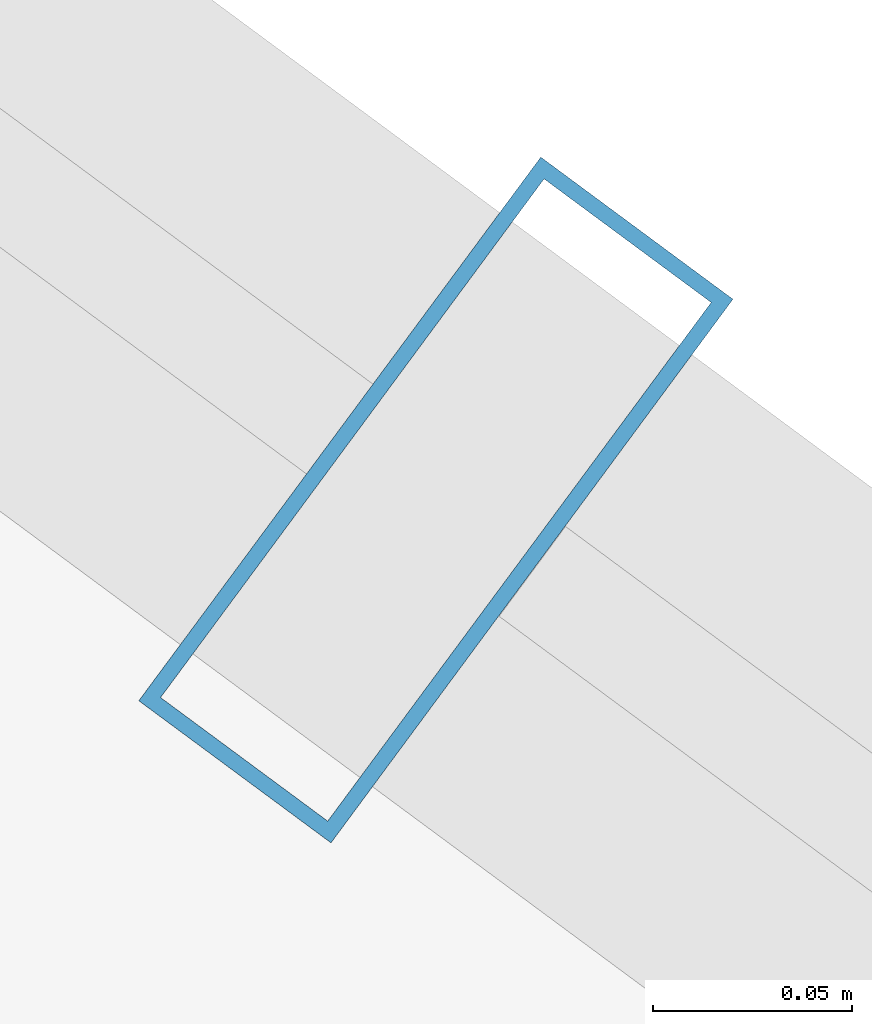
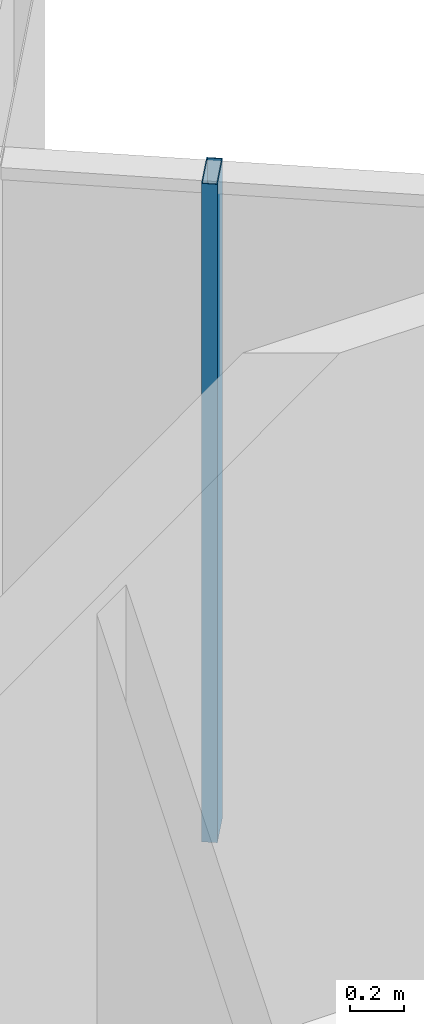
# One storey, part 23 of 29: 1 member, 1 element without a shape of its own.
"""IFC4 building model written with IfcOpenShell, lengths in metres."""

from ifc_helpers import new_model, si_unit, direction, frame, origin, origin_2d, place, context, subcontext, project, spatial, hollow_rectangle, extrude, source, transform, mapped, material, layer, layer_set, material_profile, profile_set, type_object, element, aggregate, save


model = new_model("IFC4")

# Units and contexts
model_context = context("Model", 3, precision=1e-05, world=origin(), true_north=direction((0.0, 1.0)))
body_context = subcontext(model_context, "Body", "Model", "MODEL_VIEW")
ifc_project = project(units=[si_unit("LENGTHUNIT", "METRE"), si_unit("AREAUNIT", "SQUARE_METRE"), si_unit("VOLUMEUNIT", "CUBIC_METRE"), si_unit("PLANEANGLEUNIT", "RADIAN"), si_unit("MASSUNIT", "GRAM", prefix="KILO")], contexts=[model_context])

# Site, building, storey
site_placement = place(None, origin())
site = spatial("IfcSite", under=ifc_project, at=site_placement, CompositionType="ELEMENT")
building_placement = place(site_placement, origin())
building = spatial("IfcBuilding", under=site, at=building_placement, Name="Veraguas Prism Commons", CompositionType="ELEMENT")
storey_placement = place(building_placement, frame((0.0, 0.0, 105.699951171875)))
storey = spatial("IfcBuildingStorey", under=building, at=storey_placement, Name="L29", CompositionType="ELEMENT", Elevation=105.699951171875)

# Curtain wall, member
ifc_material = material(Name="Anodised aluminium EN AW-6063 T6", Category="aluminium")
ifc_layer = layer(ifc_material, 0.169921875, Name="Unitised Flush Curtain Wall Zone 2", Category="aluminium")
ifc_layer_set = layer_set([ifc_layer], Name="Anodised aluminium EN AW-6063 T6")
curtain_wall_type = type_object("IfcCurtainWallType", Name="Unitised Flush Curtain Wall Zone 2", PredefinedType="NOTDEFINED", material=ifc_layer_set)
curtain_wall_placement = place(storey_placement, origin())
curtain_wall = element("IfcCurtainWall", 1, at=curtain_wall_placement, inside=storey, type_object=curtain_wall_type, Name="Tower Facade Curtain Wall L29-F1", PredefinedType="NOTDEFINED")
ifc_material_profile = material_profile(ifc_material, hollow_rectangle(XDim=0.06005859375, YDim=0.169921875, WallThickness=0.00390625, at=origin_2d()), Name="AL60X170X4")
ifc_profile_set = profile_set([ifc_material_profile], Name="Anodised aluminium EN AW-6063 T6")
member_type = type_object("IfcMemberType", Name="Curtain Wall Mullion Lower AL 60x170x4", PredefinedType="MULLION", material=ifc_profile_set)
shared_shape = source(origin(), body_context, "Body", "SweptSolid", [
    extrude(hollow_rectangle(XDim=0.06005859375, YDim=0.169921875, WallThickness=0.00390625, at=origin_2d()), origin(), (0.0, 0.0, 1.0), 2.969970703125),
])
member_placement = place(storey_placement, frame((38.869140625, 36.8623046875, 0.0), z_axis=(0.0, 0.0, 1.0), x_axis=(-0.804067556966, 0.59453794146, 0.0)))
member = element("IfcMember", 2, at=member_placement, type_object=member_type, Name="CW-Z2 Mullion 2", PredefinedType="MULLION", context=body_context, shape_type="MappedRepresentation", body=[
    mapped(shared_shape, transform((0.0, 0.0, 0.0), scale=1.0)),
])
aggregate(curtain_wall, [member])

save(model, "model.ifc")
